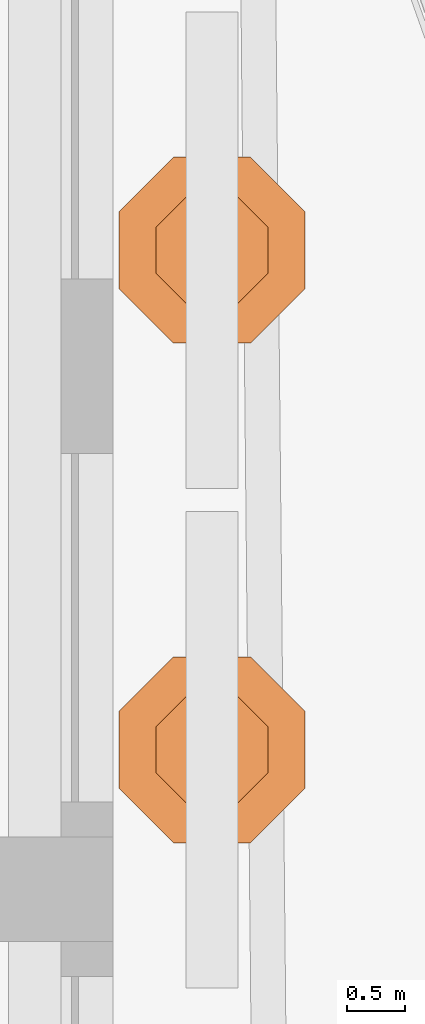
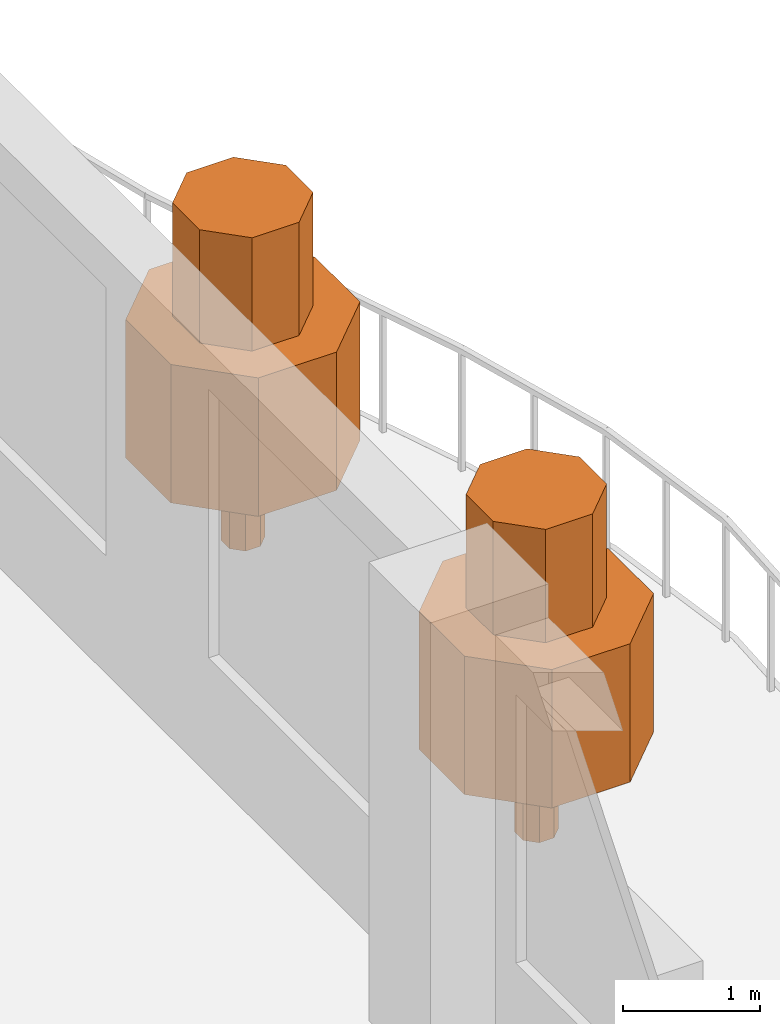
# One storey, part 15 of 15: 2 geographic elements.
"""IFC4 building model written with IfcOpenShell, lengths in metres."""

from ifc_helpers import new_model, si_unit, direction, frame, origin, place, context, subcontext, project, spatial, polyline, outline, extrude, material, type_object, element, save


model = new_model("IFC4")

# Units and contexts
model_context = context("Model", 3, precision=1e-05, world=origin(), true_north=direction((0.0, 1.0)))
body_context = subcontext(model_context, "Body", "Model", "MODEL_VIEW")
ifc_project = project(units=[si_unit("LENGTHUNIT", "METRE"), si_unit("AREAUNIT", "SQUARE_METRE"), si_unit("VOLUMEUNIT", "CUBIC_METRE"), si_unit("PLANEANGLEUNIT", "RADIAN"), si_unit("MASSUNIT", "GRAM", prefix="KILO")], contexts=[model_context])

# Site, building, storey
site_placement = place(None, origin())
site = spatial("IfcSite", under=ifc_project, at=site_placement, CompositionType="ELEMENT")
building_placement = place(site_placement, origin())
building = spatial("IfcBuilding", under=site, at=building_placement, Name="Cypress Arch Tower", CompositionType="ELEMENT")
storey_placement = place(building_placement, frame((0.0, 0.0, 259.800048828125)))
storey = spatial("IfcBuildingStorey", under=building, at=storey_placement, Name="L58", CompositionType="ELEMENT", Elevation=259.800048828125)

# Geographic elements
ifc_material = material(Name="Foliage and planting")
geographic_element_type = type_object("IfcGeographicElementType", Name="Balcony tree TR", PredefinedType="USERDEFINED", material=ifc_material)
for number, where, z_axis, x_axis, name in (
    (1, (25.60009765625, -3.300048828125, 0.599853515625), (0.0, 0.0, 1.0), (1.0, 0.0, 0.0), "Balcony tree L58-C17.1"),
    (2, (25.60009765625, 1.0, 0.599853515625), (0.0, 0.0, 1.0), (1.0, 0.0, 0.0), "Balcony tree L58-C17.2"),
):
    element("IfcGeographicElement", number, at=place(storey_placement, frame(where, z_axis=z_axis, x_axis=x_axis)), inside=storey, type_object=geographic_element_type, Name=name, ObjectType="TREE", PredefinedType="USERDEFINED", context=body_context, shape_type="SweptSolid", body=[
        extrude(outline(polyline([(0.14990234375, 0.06201171875), (0.06201171875, 0.14990234375), (-0.06201171875, 0.14990234375), (-0.14990234375, 0.06201171875), (-0.14990234375, -0.06201171875), (-0.06201171875, -0.14990234375), (0.06201171875, -0.14990234375), (0.14990234375, -0.06201171875), (0.14990234375, 0.06201171875)])), origin(), (0.0, 0.0, 1.0), 0.89990234375),
        extrude(outline(polyline([(0.800048828125, 0.331298828125), (0.331298828125, 0.800048828125), (-0.331298828125, 0.800048828125), (-0.800048828125, 0.331298828125), (-0.800048828125, -0.331298828125), (-0.331298828125, -0.800048828125), (0.331298828125, -0.800048828125), (0.800048828125, -0.331298828125), (0.800048828125, 0.331298828125)])), frame((0.0, 0.0, 0.800048828125)), (0.0, 0.0, 1.0), 1.237548828125),
        extrude(outline(polyline([(0.47998046875, 0.19873046875), (0.19873046875, 0.47998046875), (-0.19873046875, 0.47998046875), (-0.47998046875, 0.19873046875), (-0.47998046875, -0.19873046875), (-0.19873046875, -0.47998046875), (0.19873046875, -0.47998046875), (0.47998046875, -0.19873046875), (0.47998046875, 0.19873046875)])), frame((0.0, 0.0, 2.03759765625)), (0.0, 0.0, 1.0), 1.012451171875),
    ])

save(model, "model.ifc")
